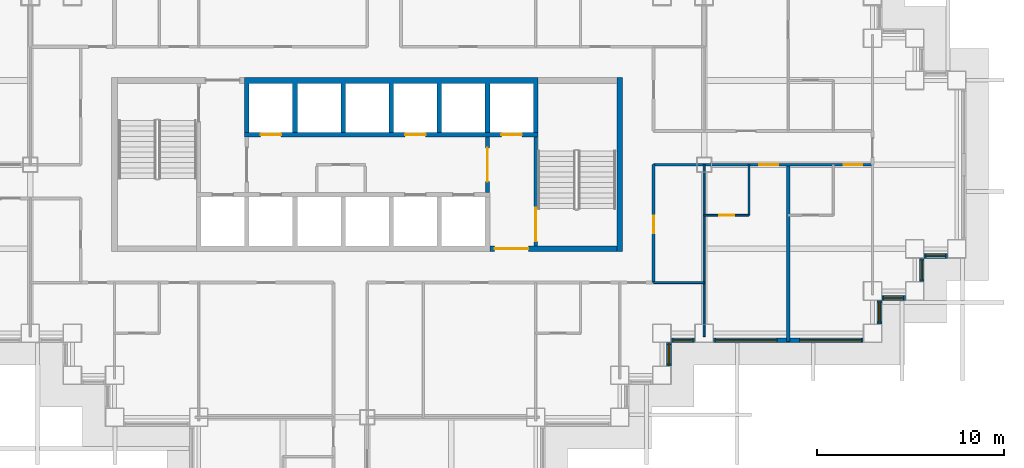
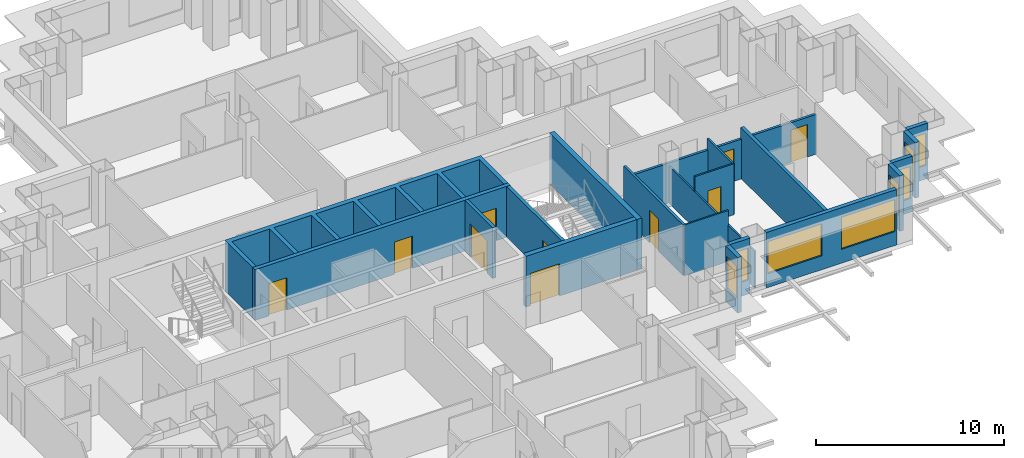
# One storey, part 6 of 15: 20 walls, 10 doors, 8 windows, 18 openings.
"""IFC4 building model written with IfcOpenShell, lengths in metres."""

import ifcopenshell
import ifcopenshell.guid

model = None  # the IFC model being written
_history = None  # IfcOwnerHistory: only IFC2X3 demands one
_inside = {}  # id of a spatial element -> (the spatial element, [elements in it])
_under = {}  # id of a project, library or spatial element -> (it, [spatial elements below it])
_declared = {}  # id of a project -> (the project, [libraries it declares])
_typed = {}  # id of a type object -> (the type object, [elements of that type])
_made_of = {}  # id of a material, layer set ... -> (it, [elements and type objects made of it])


def new_model(schema):
    """Start an empty IFC model of exactly this schema.

    Asked for "IFC4X3", IfcOpenShell would pick the latest addendum, in which some entities
    have other attributes; the version numbers below select the first issue.
    IFC2X3 requires an IfcOwnerHistory on every rooted entity: one is made here for all.
    """
    global model, _history
    if schema == "IFC4X3":
        model = ifcopenshell.file(schema_version=(4, 3, 0, 0))
    else:
        model = ifcopenshell.file(schema=schema)
    _inside.clear()
    _under.clear()
    _declared.clear()
    _typed.clear()
    _made_of.clear()
    _history = None
    if model.schema == "IFC2X3":
        org = make("IfcOrganization", Name="unknown")
        user = make(
            "IfcPersonAndOrganization",
            ThePerson=make("IfcPerson", FamilyName="unknown"),
            TheOrganization=org,
        )
        app = make(
            "IfcApplication",
            ApplicationDeveloper=org,
            Version="unknown",
            ApplicationFullName="unknown",
            ApplicationIdentifier="unknown",
        )
        _history = make(
            "IfcOwnerHistory",
            OwningUser=user,
            OwningApplication=app,
            ChangeAction="ADDED",
            CreationDate=0,
        )
    return model


def make(cls, **values):
    """One entity of the class cls with the attributes given. An attribute that is None is left unset."""
    return model.create_entity(
        cls, **{name: value for name, value in values.items() if value is not None}
    )


def rooted(cls, **values):
    """An entity with a GlobalId (a new one), such as an element, a storey or a relation."""
    return make(cls, GlobalId=ifcopenshell.guid.new(), OwnerHistory=_history, **values)


def si_unit(unit_type, name, prefix=None):
    """IfcSIUnit, for example si_unit("LENGTHUNIT", "METRE", prefix="MILLI")."""
    return make("IfcSIUnit", UnitType=unit_type, Prefix=prefix, Name=name)


def assignment(units):
    """IfcUnitAssignment: the units of a project."""
    return None if units is None else make("IfcUnitAssignment", Units=units)


def point(xyz):
    """IfcCartesianPoint."""
    return None if xyz is None else make("IfcCartesianPoint", Coordinates=xyz)


def direction(xyz):
    """IfcDirection."""
    return None if xyz is None else make("IfcDirection", DirectionRatios=xyz)


def frame(location, z_axis=None, x_axis=None):
    """IfcAxis2Placement3D, a coordinate frame: its origin and axes. An axis left out is left unset."""
    return make(
        "IfcAxis2Placement3D",
        Location=point(location),
        Axis=direction(z_axis),
        RefDirection=direction(x_axis),
    )


def frame_2d(location, x_axis=None):
    """IfcAxis2Placement2D, a coordinate frame in the plane: its origin and x axis."""
    return make(
        "IfcAxis2Placement2D", Location=point(location), RefDirection=direction(x_axis)
    )


def origin():
    """The frame at (0, 0, 0) with its axes left unset."""
    return frame((0.0, 0.0, 0.0))


def place(relative_to, where):
    """IfcLocalPlacement: puts the frame where relative to a parent placement (None: the world)."""
    return make(
        "IfcLocalPlacement", PlacementRelTo=relative_to, RelativePlacement=where
    )


def context(
    kind, dimensions, precision=None, world=None, true_north=None, identifier=None
):
    """IfcGeometricRepresentationContext, for example the 3D "Model" context."""
    return make(
        "IfcGeometricRepresentationContext",
        ContextIdentifier=identifier,
        ContextType=kind,
        CoordinateSpaceDimension=dimensions,
        Precision=precision,
        WorldCoordinateSystem=world,
        TrueNorth=true_north,
    )


def subcontext(parent, identifier, kind, view, scale=None):
    """IfcGeometricRepresentationSubContext, for example "Body" below "Model"."""
    return make(
        "IfcGeometricRepresentationSubContext",
        ContextIdentifier=identifier,
        ContextType=kind,
        ParentContext=parent,
        TargetScale=scale,
        TargetView=view,
    )


def project(units=None, contexts=None):
    """IfcProject with its units and contexts."""
    return rooted(
        "IfcProject",
        Name="project",
        RepresentationContexts=contexts,
        UnitsInContext=assignment(units),
    )


def spatial(cls, under=None, at=None, **own):
    """A site, building, storey or space (cls), placed at a placement, below another one or the project."""
    s = rooted(cls, ObjectPlacement=at, **own)
    if under is not None:
        _under.setdefault(under.id(), (under, []))[1].append(s)
    return s


def polyline(points):
    """IfcPolyline through the points."""
    return make("IfcPolyline", Points=[point(p) for p in points])


def profile(cls, at=None, kind="AREA", **sizes):
    """A parametric profile (cls). Its sizes go by their IFC names, for example OverallWidth=200.0."""
    return make(cls, ProfileType=kind, Position=at, **sizes)


def rectangle(**sizes):
    """IfcRectangleProfileDef."""
    return profile("IfcRectangleProfileDef", **sizes)


def outline(outer, holes=None, kind="AREA"):
    """IfcArbitraryClosedProfileDef: a profile drawn as a closed curve; with holes, ...WithVoids."""
    if holes is None:
        return make("IfcArbitraryClosedProfileDef", ProfileType=kind, OuterCurve=outer)
    return make(
        "IfcArbitraryProfileDefWithVoids",
        ProfileType=kind,
        OuterCurve=outer,
        InnerCurves=holes,
    )


def extrude(swept, where, along, depth):
    """IfcExtrudedAreaSolid: the profile swept, set in the frame where, extruded along a direction by depth."""
    return make(
        "IfcExtrudedAreaSolid",
        SweptArea=swept,
        Position=where,
        ExtrudedDirection=direction(along),
        Depth=depth,
    )


def shape(context_of_items, identifier, shape_type, items):
    """IfcShapeRepresentation: the items that make up one representation, for example the "Body"."""
    return make(
        "IfcShapeRepresentation",
        ContextOfItems=context_of_items,
        RepresentationIdentifier=identifier,
        RepresentationType=shape_type,
        Items=items,
    )


def material(Name=None, Category=None):
    """IfcMaterial."""
    return make("IfcMaterial", Name=Name, Category=Category)


def layer(
    of_material, thickness, ventilated=None, Name=None, Category=None, Priority=None
):
    """IfcMaterialLayer: one layer of a wall or slab, of a material (None: an air gap)."""
    return make(
        "IfcMaterialLayer",
        Material=of_material,
        LayerThickness=thickness,
        IsVentilated=ventilated,
        Name=Name,
        Category=Category,
        Priority=Priority,
    )


def layer_set(layers, Name=None):
    """IfcMaterialLayerSet."""
    return make("IfcMaterialLayerSet", MaterialLayers=layers, LayerSetName=Name)


def made_of(thing, what):
    """Note that an element or type object is made of a material, layer set ...; save() writes the relation."""
    if what is not None:
        _made_of.setdefault(what.id(), (what, []))[1].append(thing)
    return thing


def type_object(cls, material=None, **own):
    """A type object (cls), such as IfcWallType, which elements share."""
    return made_of(rooted(cls, **own), material)


def element(
    cls,
    number,
    at=None,
    inside=None,
    cuts=None,
    type_object=None,
    material=None,
    context=None,
    identifier="Body",
    shape_type=None,
    held_by="IfcProductDefinitionShape",
    body=None,
    shapes=None,
    **own,
):
    """One element of the class cls, such as IfcWall. Its Tag is "e" and its number.

    at: its placement. inside: the storey or other place that contains it. cuts: it is an
    opening in that element (IfcRelVoidsElement). A single representation is given by context,
    identifier, shape_type and body (its items); several are given by shapes. held_by: the class
    of the entity that holds the representations. save() writes the other relations.
    """
    e = rooted(cls, Tag="e%d" % number, ObjectPlacement=at, **own)
    if body is not None:
        shapes = [shape(context, identifier, shape_type, body)]
    if shapes is not None:
        e.Representation = make(held_by, Representations=shapes)
    if inside is not None:
        _inside.setdefault(inside.id(), (inside, []))[1].append(e)
    if cuts is not None:
        rooted(
            "IfcRelVoidsElement", RelatingBuildingElement=cuts, RelatedOpeningElement=e
        )
    if type_object is not None:
        _typed.setdefault(type_object.id(), (type_object, []))[1].append(e)
    return made_of(e, material)


def fill(opening, filler):
    """IfcRelFillsElement: the door or window that sits in an opening."""
    return rooted(
        "IfcRelFillsElement",
        RelatingOpeningElement=opening,
        RelatedBuildingElement=filler,
    )


def aggregate(whole, parts):
    """IfcRelAggregates: a whole, such as a stair, and the parts it consists of."""
    return rooted("IfcRelAggregates", RelatingObject=whole, RelatedObjects=parts)


def save(model, path):
    """Write the relations noted so far, then the file.

    IfcRelAggregates (storeys below a building ...), IfcRelContainedInSpatialStructure (elements
    in a storey), IfcRelDefinesByType, IfcRelAssociatesMaterial and IfcRelDeclares: one each for
    every whole, place, type object, material and project.
    """
    for whole, parts in _under.values():
        aggregate(whole, parts)
    for where, things in _inside.values():
        rooted(
            "IfcRelContainedInSpatialStructure",
            RelatedElements=things,
            RelatingStructure=where,
        )
    for kind, things in _typed.values():
        rooted("IfcRelDefinesByType", RelatedObjects=things, RelatingType=kind)
    for what, things in _made_of.values():
        rooted("IfcRelAssociatesMaterial", RelatedObjects=things, RelatingMaterial=what)
    for by, libraries in _declared.values():
        rooted("IfcRelDeclares", RelatingContext=by, RelatedDefinitions=libraries)
    model.write(path)


model = new_model("IFC4")

# Units and contexts
model_context = context("Model", 3, precision=1e-05, world=origin(), true_north=direction((0.0, 1.0)))
body_context = subcontext(model_context, "Body", "Model", "MODEL_VIEW")
ifc_project = project(units=[si_unit("LENGTHUNIT", "METRE"), si_unit("AREAUNIT", "SQUARE_METRE"), si_unit("VOLUMEUNIT", "CUBIC_METRE"), si_unit("PLANEANGLEUNIT", "RADIAN"), si_unit("MASSUNIT", "GRAM", prefix="KILO")], contexts=[model_context])

# Site, building, storey
site_placement = place(None, origin())
site = spatial("IfcSite", under=ifc_project, at=site_placement, CompositionType="ELEMENT")
building_placement = place(site_placement, origin())
building = spatial("IfcBuilding", under=site, at=building_placement, Name="Caravel Reach Hotel and Residences", CompositionType="ELEMENT")
storey_placement = place(building_placement, frame((0.0, 0.0, 60.0)))
storey = spatial("IfcBuildingStorey", under=building, at=storey_placement, Name="L13", CompositionType="ELEMENT", Elevation=60.0)

# Wall, opening, door
ifc_material_1 = material(Name="Gypsum board on steel stud", Category="steel")
ifc_layer_1 = layer(ifc_material_1, 0.10009765625)
ifc_layer_set_1 = layer_set([ifc_layer_1], Name="Bathroom pod wall 100 mm")
wall_type_1 = type_object("IfcWallType", Name="Bathroom pod wall 100 mm", PredefinedType="PARTITIONING", material=ifc_layer_set_1)
wall_1_placement = place(storey_placement, frame((49.5, 24.300048828125, 0.0), z_axis=(0.0, 0.0, 1.0), x_axis=(1.0, 0.0, 0.0)))
wall_1 = element("IfcWall", 1, at=wall_1_placement, inside=storey, type_object=wall_type_1, Name="L13 wall w078", PredefinedType="PARTITIONING", context=body_context, shape_type="SweptSolid", body=[
    extrude(rectangle(XDim=2.39990234375, YDim=0.10009765625, at=frame_2d((1.199951171875, 0.0))), origin(), (0.0, 0.0, 1.0), 3.300048828125),
])
opening_1_placement = place(wall_1_placement, frame((0.800048828125, 0.0, 0.0)))
opening_1 = element("IfcOpeningElement", 2, at=opening_1_placement, cuts=wall_1, Name="Opening D13-020", PredefinedType="OPENING", context=body_context, shape_type="SweptSolid", body=[
    extrude(rectangle(XDim=0.800048828125, YDim=2.10009765625, at=frame_2d((0.39990234375, 1.050048828125))), frame((0.0, 0.06005859375, 0.0), z_axis=(0.0, -1.0, 0.0), x_axis=(1.0, 0.0, 0.0)), (0.0, 0.0, 1.0), 0.1201171875),
])
ifc_material_2 = material(Name="Timber and steel door leaf", Category="steel")
door_type_1 = type_object("IfcDoorType", Name="Bathroom door 800 x 2100", OperationType="SINGLE_SWING_LEFT", PredefinedType="DOOR", material=ifc_material_2)
door_1_placement = place(opening_1_placement, origin())
door_1 = element("IfcDoor", 3, at=door_1_placement, inside=storey, type_object=door_type_1, Name="door D13-020", OperationType="SINGLE_SWING_LEFT", OverallHeight=2.10009765625, OverallWidth=0.800048828125, PredefinedType="DOOR", context=body_context, shape_type="SweptSolid", body=[
    extrude(rectangle(XDim=0.800048828125, YDim=2.10009765625, at=frame_2d((0.39990234375, 1.050048828125))), frame((0.0, 0.02490234375, 0.0), z_axis=(0.0, -1.0, 0.0), x_axis=(1.0, 0.0, 0.0)), (0.0, 0.0, 1.0), 0.050048828125),
])
fill(opening_1, door_1)

# Wall
wall_2_placement = place(storey_placement, frame((51.89990234375, 24.300048828125, 0.0), z_axis=(0.0, 0.0, 1.0), x_axis=(0.0, 1.0, 0.0)))
element("IfcWall", 4, at=wall_2_placement, inside=storey, type_object=wall_type_1, Name="L13 wall w099", PredefinedType="PARTITIONING", context=body_context, shape_type="SweptSolid", body=[
    extrude(rectangle(XDim=2.699951171875, YDim=0.10009765625, at=frame_2d((1.35009765625, 0.0))), origin(), (0.0, 0.0, 1.0), 3.300048828125),
])

# Wall, opening, door
ifc_material_3 = material(Name="Concrete C60", Category="concrete")
ifc_layer_2 = layer(ifc_material_3, 0.300048828125)
ifc_layer_set_2 = layer_set([ifc_layer_2], Name="Core wall 300 mm EI 120")
wall_type_2 = type_object("IfcWallType", Name="Core wall 300 mm EI 120", PredefinedType="SHEAR", material=ifc_layer_set_2)
wall_3_placement = place(storey_placement, frame((38.053466796875, 22.5, 0.0), z_axis=(0.0, 0.0, 1.0), x_axis=(1.0, 0.0, 0.0)))
wall_3 = element("IfcWall", 5, at=wall_3_placement, inside=storey, type_object=wall_type_2, Name="L13 core wall S2", PredefinedType="SHEAR", context=body_context, shape_type="SweptSolid", body=[
    extrude(rectangle(XDim=6.796630859375, YDim=0.300048828125, at=frame_2d((3.3984375, 0.0))), origin(), (0.0, 0.0, 1.0), 3.300048828125),
])
opening_2_placement = place(wall_3_placement, frame((0.2607421875, 0.0, 0.0)))
opening_2 = element("IfcOpeningElement", 6, at=opening_2_placement, cuts=wall_3, Name="Opening D13-014", PredefinedType="OPENING", context=body_context, shape_type="SweptSolid", body=[
    extrude(rectangle(XDim=1.800048828125, YDim=2.10009765625, at=frame_2d((0.89990234375, 1.050048828125))), frame((0.0, 0.159912109375, 0.0), z_axis=(0.0, -1.0, 0.0), x_axis=(1.0, 0.0, 0.0)), (0.0, 0.0, 1.0), 0.320068359375),
])
ifc_material_4 = material(Name="Steel fire door leaf", Category="steel")
door_type_2 = type_object("IfcDoorType", Name="Fire lobby door pair 1800 x 2100 EI 90", OperationType="DOUBLE_DOOR_SINGLE_SWING", PredefinedType="DOOR", material=ifc_material_4)
door_2_placement = place(opening_2_placement, origin())
door_2 = element("IfcDoor", 7, at=door_2_placement, inside=storey, type_object=door_type_2, Name="lobby S door pair to corridor", OperationType="DOUBLE_DOOR_SINGLE_SWING", OverallHeight=2.10009765625, OverallWidth=1.800048828125, PredefinedType="DOOR", context=body_context, shape_type="SweptSolid", body=[
    extrude(rectangle(XDim=1.800048828125, YDim=2.10009765625, at=frame_2d((0.89990234375, 1.050048828125))), frame((0.0, 0.02490234375, 0.0), z_axis=(0.0, -1.0, 0.0), x_axis=(1.0, 0.0, 0.0)), (0.0, 0.0, 1.0), 0.050048828125),
])
fill(opening_2, door_2)

# Wall
wall_4_placement = place(storey_placement, frame((45.0, 22.35009765625, 0.0), z_axis=(0.0, 0.0, 1.0), x_axis=(0.0, 1.0, 0.0)))
element("IfcWall", 8, at=wall_4_placement, inside=storey, type_object=wall_type_2, Name="L13 core wall E", PredefinedType="SHEAR", context=body_context, shape_type="SweptSolid", body=[
    extrude(rectangle(XDim=9.2998046875, YDim=0.300048828125, at=frame_2d((4.64990234375, 0.0))), origin(), (0.0, 0.0, 1.0), 3.300048828125),
])

# Wall, openings, doors
ifc_material_5 = material(Name="Gypsum board on steel stud, fire-rated", Category="steel")
ifc_layer_3 = layer(ifc_material_5, 0.14990234375)
ifc_layer_set_3 = layer_set([ifc_layer_3], Name="Corridor wall 150 mm EI 60")
wall_type_3 = type_object("IfcWallType", Name="Corridor wall 150 mm EI 60", PredefinedType="PARTITIONING", material=ifc_layer_set_3)
wall_5_placement = place(storey_placement, frame((46.800048828125, 27.0, 0.0), z_axis=(0.0, 0.0, 1.0), x_axis=(1.0, 0.0, 0.0)))
wall_5 = element("IfcWall", 9, at=wall_5_placement, inside=storey, type_object=wall_type_3, Name="L13 wall w013", PredefinedType="PARTITIONING", context=body_context, shape_type="SweptSolid", body=[
    extrude(rectangle(XDim=11.699951171875, YDim=0.14990234375, at=frame_2d((5.85009765625, 0.0))), origin(), (0.0, 0.0, 1.0), 2.580078125),
])
opening_3_placement = place(wall_5_placement, frame((5.64990234375, 0.0, 0.0)))
opening_3 = element("IfcOpeningElement", 10, at=opening_3_placement, cuts=wall_5, Name="Opening D13-019", PredefinedType="OPENING", context=body_context, shape_type="SweptSolid", body=[
    extrude(rectangle(XDim=1.0, YDim=2.10009765625, at=frame_2d((0.5, 1.050048828125))), frame((0.0, 0.0849609375, 0.0), z_axis=(0.0, -1.0, 0.0), x_axis=(1.0, 0.0, 0.0)), (0.0, 0.0, 1.0), 0.169921875),
])
opening_4_placement = place(wall_5_placement, frame((10.14990234375, 0.0, 0.0)))
opening_4 = element("IfcOpeningElement", 11, at=opening_4_placement, cuts=wall_5, Name="Opening D13-021", PredefinedType="OPENING", context=body_context, shape_type="SweptSolid", body=[
    extrude(rectangle(XDim=1.0, YDim=2.10009765625, at=frame_2d((0.5, 1.050048828125))), frame((0.0, 0.0849609375, 0.0), z_axis=(0.0, -1.0, 0.0), x_axis=(1.0, 0.0, 0.0)), (0.0, 0.0, 1.0), 0.169921875),
])
ifc_material_6 = material(Name="Steel fire door leaf", Category="steel")
door_type_3 = type_object("IfcDoorType", Name="Guest room door 1000 x 2100 EI 30", OperationType="SINGLE_SWING_LEFT", PredefinedType="DOOR", material=ifc_material_6)
door_3_placement = place(opening_3_placement, origin())
door_3 = element("IfcDoor", 12, at=door_3_placement, inside=storey, type_object=door_type_3, Name="door D13-019", OperationType="SINGLE_SWING_RIGHT", OverallHeight=2.10009765625, OverallWidth=1.0, PredefinedType="DOOR", context=body_context, shape_type="SweptSolid", body=[
    extrude(rectangle(XDim=1.0, YDim=2.10009765625, at=frame_2d((0.5, 1.050048828125))), frame((0.0, 0.02490234375, 0.0), z_axis=(0.0, -1.0, 0.0), x_axis=(1.0, 0.0, 0.0)), (0.0, 0.0, 1.0), 0.050048828125),
])
fill(opening_3, door_3)
door_4_placement = place(opening_4_placement, origin())
door_4 = element("IfcDoor", 13, at=door_4_placement, inside=storey, type_object=door_type_3, Name="door D13-021", OperationType="SINGLE_SWING_RIGHT", OverallHeight=2.10009765625, OverallWidth=1.0, PredefinedType="DOOR", context=body_context, shape_type="SweptSolid", body=[
    extrude(rectangle(XDim=1.0, YDim=2.10009765625, at=frame_2d((0.5, 1.050048828125))), frame((0.0, 0.02490234375, 0.0), z_axis=(0.0, -1.0, 0.0), x_axis=(1.0, 0.0, 0.0)), (0.0, 0.0, 1.0), 0.050048828125),
])
fill(opening_4, door_4)

# Wall, opening, door
wall_6_placement = place(storey_placement, frame((46.800048828125, 20.699951171875, 0.0), z_axis=(0.0, 0.0, 1.0), x_axis=(0.0, 1.0, 0.0)))
wall_6 = element("IfcWall", 14, at=wall_6_placement, inside=storey, type_object=wall_type_3, Name="L13 wall w037", PredefinedType="PARTITIONING", context=body_context, shape_type="SweptSolid", body=[
    extrude(rectangle(XDim=6.300048828125, YDim=0.14990234375, at=frame_2d((3.14990234375, 0.0))), origin(), (0.0, 0.0, 1.0), 3.300048828125),
])
opening_5_placement = place(wall_6_placement, frame((2.625, 0.0, 0.0)))
opening_5 = element("IfcOpeningElement", 15, at=opening_5_placement, cuts=wall_6, Name="Opening D13-059", PredefinedType="OPENING", context=body_context, shape_type="SweptSolid", body=[
    extrude(rectangle(XDim=0.949951171875, YDim=2.10009765625, at=frame_2d((0.47509765625, 1.050048828125))), frame((0.0, 0.0849609375, 0.0), z_axis=(0.0, -1.0, 0.0), x_axis=(1.0, 0.0, 0.0)), (0.0, 0.0, 1.0), 0.169921875),
])
ifc_material_7 = material(Name="Timber and steel door leaf", Category="steel")
door_type_4 = type_object("IfcDoorType", Name="Accessible WC door 950 x 2100", OperationType="SINGLE_SWING_LEFT", PredefinedType="DOOR", material=ifc_material_7)
door_5_placement = place(opening_5_placement, origin())
door_5 = element("IfcDoor", 16, at=door_5_placement, inside=storey, type_object=door_type_4, Name="door D13-059", OperationType="SINGLE_SWING_RIGHT", OverallHeight=2.10009765625, OverallWidth=0.949951171875, PredefinedType="DOOR", context=body_context, shape_type="SweptSolid", body=[
    extrude(rectangle(XDim=0.949951171875, YDim=2.10009765625, at=frame_2d((0.47509765625, 1.050048828125))), frame((0.0, 0.02490234375, 0.0), z_axis=(0.0, -1.0, 0.0), x_axis=(1.0, 0.0, 0.0)), (0.0, 0.0, 1.0), 0.050048828125),
])
fill(opening_5, door_5)

# Wall, opening, window
ifc_material_8 = material(Name="Insulated rainscreen wall, aluminium cladding", Category="aluminium")
ifc_layer_4 = layer(ifc_material_8, 0.25)
ifc_layer_set_4 = layer_set([ifc_layer_4], Name="EW1 Tower rainscreen wall")
wall_type_4 = type_object("IfcWallType", Name="EW1 Tower rainscreen wall", PredefinedType="SOLIDWALL", material=ifc_layer_set_4)
wall_7_placement = place(storey_placement, frame((47.625, 16.25, 0.0), z_axis=(0.0, 0.0, 1.0), x_axis=(0.0, 1.0, 0.0)))
wall_7 = element("IfcWall", 17, at=wall_7_placement, inside=storey, type_object=wall_type_4, Name="External wall L13 E14.1", PredefinedType="SOLIDWALL", context=body_context, shape_type="SweptSolid", body=[
    extrude(rectangle(XDim=1.25, YDim=0.25, at=frame_2d((0.625, 0.0))), origin(), (0.0, 0.0, 1.0), 3.60009765625),
])
opening_6_placement = place(wall_7_placement, frame((0.10009765625, 0.0, 0.89990234375)))
opening_6 = element("IfcOpeningElement", 18, at=opening_6_placement, cuts=wall_7, Name="Opening WN3", PredefinedType="OPENING", context=body_context, shape_type="SweptSolid", body=[
    extrude(rectangle(XDim=1.050048828125, YDim=2.080078125, at=frame_2d((0.52490234375, 1.0400390625))), frame((0.0, 0.135009765625, 0.0), z_axis=(0.0, -1.0, 0.0), x_axis=(1.0, 0.0, 0.0)), (0.0, 0.0, 1.0), 0.27001953125),
])
ifc_material_9 = material(Name="Dark low-e glazing in black aluminium frame", Category="aluminium")
window_type_1 = type_object("IfcWindowType", Name="Hotel suite corner window 1050 x 2080", PartitioningType="SINGLE_PANEL", PredefinedType="WINDOW", material=ifc_material_9)
window_1_placement = place(opening_6_placement, origin())
window_1 = element("IfcWindow", 19, at=window_1_placement, inside=storey, type_object=window_type_1, Name="Window L13 E14.1.1", OverallHeight=2.080078125, OverallWidth=1.050048828125, PartitioningType="SINGLE_PANEL", PredefinedType="WINDOW", context=body_context, shape_type="SweptSolid", body=[
    extrude(rectangle(XDim=1.050048828125, YDim=2.080078125, at=frame_2d((0.52490234375, 1.0400390625))), frame((0.0, 0.030029296875, 0.0), z_axis=(0.0, -1.0, 0.0), x_axis=(1.0, 0.0, 0.0)), (0.0, 0.0, 1.0), 0.06005859375),
])
fill(opening_6, window_1)

wall_8_placement = place(storey_placement, frame((47.75, 17.625, 0.0), z_axis=(0.0, 0.0, 1.0), x_axis=(1.0, 0.0, 0.0)))
wall_8 = element("IfcWall", 20, at=wall_8_placement, inside=storey, type_object=wall_type_4, Name="External wall L13 S15.1", PredefinedType="SOLIDWALL", context=body_context, shape_type="SweptSolid", body=[
    extrude(rectangle(XDim=1.25, YDim=0.25, at=frame_2d((0.625, 0.0))), origin(), (0.0, 0.0, 1.0), 3.60009765625),
])
opening_7_placement = place(wall_8_placement, frame((0.10009765625, 0.0, 0.89990234375)))
opening_7 = element("IfcOpeningElement", 21, at=opening_7_placement, cuts=wall_8, Name="Opening WN3", PredefinedType="OPENING", context=body_context, shape_type="SweptSolid", body=[
    extrude(rectangle(XDim=1.050048828125, YDim=2.080078125, at=frame_2d((0.52490234375, 1.0400390625))), frame((0.0, 0.135009765625, 0.0), z_axis=(0.0, -1.0, 0.0), x_axis=(1.0, 0.0, 0.0)), (0.0, 0.0, 1.0), 0.27001953125),
])
window_2_placement = place(opening_7_placement, origin())
window_2 = element("IfcWindow", 22, at=window_2_placement, inside=storey, type_object=window_type_1, Name="Window L13 S15.1.1", OverallHeight=2.080078125, OverallWidth=1.050048828125, PartitioningType="SINGLE_PANEL", PredefinedType="WINDOW", context=body_context, shape_type="SweptSolid", body=[
    extrude(rectangle(XDim=1.050048828125, YDim=2.080078125, at=frame_2d((0.52490234375, 1.0400390625))), frame((0.0, 0.030029296875, 0.0), z_axis=(0.0, -1.0, 0.0), x_axis=(1.0, 0.0, 0.0)), (0.0, 0.0, 1.0), 0.06005859375),
])
fill(opening_7, window_2)

# Wall, openings, windows
wall_9_placement = place(storey_placement, frame((50.0, 17.625, 0.0), z_axis=(0.0, 0.0, 1.0), x_axis=(1.0, 0.0, 0.0)))
wall_9 = element("IfcWall", 23, at=wall_9_placement, inside=storey, type_object=wall_type_4, Name="External wall L13 S15.2", PredefinedType="SOLIDWALL", context=body_context, shape_type="SweptSolid", body=[
    extrude(rectangle(XDim=8.0, YDim=0.25, at=frame_2d((4.0, 0.0))), origin(), (0.0, 0.0, 1.0), 3.60009765625),
])
opening_8_placement = place(wall_9_placement, frame((0.10009765625, 0.0, 0.89990234375)))
opening_8 = element("IfcOpeningElement", 24, at=opening_8_placement, cuts=wall_9, Name="Opening WN4", PredefinedType="OPENING", context=body_context, shape_type="SweptSolid", body=[
    extrude(rectangle(XDim=3.300048828125, YDim=2.080078125, at=frame_2d((1.64990234375, 1.0400390625))), frame((0.0, 0.135009765625, 0.0), z_axis=(0.0, -1.0, 0.0), x_axis=(1.0, 0.0, 0.0)), (0.0, 0.0, 1.0), 0.27001953125),
])
opening_9_placement = place(wall_9_placement, frame((4.60009765625, 0.0, 0.89990234375)))
opening_9 = element("IfcOpeningElement", 25, at=opening_9_placement, cuts=wall_9, Name="Opening WN4", PredefinedType="OPENING", context=body_context, shape_type="SweptSolid", body=[
    extrude(rectangle(XDim=3.300048828125, YDim=2.080078125, at=frame_2d((1.64990234375, 1.0400390625))), frame((0.0, 0.135009765625, 0.0), z_axis=(0.0, -1.0, 0.0), x_axis=(1.0, 0.0, 0.0)), (0.0, 0.0, 1.0), 0.27001953125),
])
ifc_material_10 = material(Name="Dark low-e glazing in black aluminium frame", Category="aluminium")
window_type_2 = type_object("IfcWindowType", Name="Hotel guest room window 3300 x 2080", PartitioningType="SINGLE_PANEL", PredefinedType="WINDOW", material=ifc_material_10)
window_3_placement = place(opening_8_placement, origin())
window_3 = element("IfcWindow", 26, at=window_3_placement, inside=storey, type_object=window_type_2, Name="Window L13 S15.2.1", OverallHeight=2.080078125, OverallWidth=3.300048828125, PartitioningType="SINGLE_PANEL", PredefinedType="WINDOW", context=body_context, shape_type="SweptSolid", body=[
    extrude(rectangle(XDim=3.300048828125, YDim=2.080078125, at=frame_2d((1.64990234375, 1.0400390625))), frame((0.0, 0.030029296875, 0.0), z_axis=(0.0, -1.0, 0.0), x_axis=(1.0, 0.0, 0.0)), (0.0, 0.0, 1.0), 0.06005859375),
])
fill(opening_8, window_3)
window_4_placement = place(opening_9_placement, origin())
window_4 = element("IfcWindow", 27, at=window_4_placement, inside=storey, type_object=window_type_2, Name="Window L13 S15.2.2", OverallHeight=2.080078125, OverallWidth=3.300048828125, PartitioningType="SINGLE_PANEL", PredefinedType="WINDOW", context=body_context, shape_type="SweptSolid", body=[
    extrude(rectangle(XDim=3.300048828125, YDim=2.080078125, at=frame_2d((1.64990234375, 1.0400390625))), frame((0.0, 0.030029296875, 0.0), z_axis=(0.0, -1.0, 0.0), x_axis=(1.0, 0.0, 0.0)), (0.0, 0.0, 1.0), 0.06005859375),
])
fill(opening_9, window_4)

# Wall, opening, window
wall_10_placement = place(storey_placement, frame((58.875, 18.5, 0.0), z_axis=(0.0, 0.0, 1.0), x_axis=(0.0, 1.0, 0.0)))
wall_10 = element("IfcWall", 28, at=wall_10_placement, inside=storey, type_object=wall_type_4, Name="External wall L13 E16.1", PredefinedType="SOLIDWALL", context=body_context, shape_type="SweptSolid", body=[
    extrude(rectangle(XDim=1.25, YDim=0.25, at=frame_2d((0.625, 0.0))), origin(), (0.0, 0.0, 1.0), 3.60009765625),
])
opening_10_placement = place(wall_10_placement, frame((0.10009765625, 0.0, 0.89990234375)))
opening_10 = element("IfcOpeningElement", 29, at=opening_10_placement, cuts=wall_10, Name="Opening WN3", PredefinedType="OPENING", context=body_context, shape_type="SweptSolid", body=[
    extrude(rectangle(XDim=1.050048828125, YDim=2.080078125, at=frame_2d((0.52490234375, 1.0400390625))), frame((0.0, 0.135009765625, 0.0), z_axis=(0.0, -1.0, 0.0), x_axis=(1.0, 0.0, 0.0)), (0.0, 0.0, 1.0), 0.27001953125),
])
window_5_placement = place(opening_10_placement, origin())
window_5 = element("IfcWindow", 30, at=window_5_placement, inside=storey, type_object=window_type_1, Name="Window L13 E16.1.1", OverallHeight=2.080078125, OverallWidth=1.050048828125, PartitioningType="SINGLE_PANEL", PredefinedType="WINDOW", context=body_context, shape_type="SweptSolid", body=[
    extrude(rectangle(XDim=1.050048828125, YDim=2.080078125, at=frame_2d((0.52490234375, 1.0400390625))), frame((0.0, 0.030029296875, 0.0), z_axis=(0.0, -1.0, 0.0), x_axis=(1.0, 0.0, 0.0)), (0.0, 0.0, 1.0), 0.06005859375),
])
fill(opening_10, window_5)

wall_11_placement = place(storey_placement, frame((59.0, 19.875, 0.0), z_axis=(0.0, 0.0, 1.0), x_axis=(1.0, 0.0, 0.0)))
wall_11 = element("IfcWall", 31, at=wall_11_placement, inside=storey, type_object=wall_type_4, Name="External wall L13 S17.1", PredefinedType="SOLIDWALL", context=body_context, shape_type="SweptSolid", body=[
    extrude(rectangle(XDim=1.25, YDim=0.25, at=frame_2d((0.625, 0.0))), origin(), (0.0, 0.0, 1.0), 3.60009765625),
])
opening_11_placement = place(wall_11_placement, frame((0.10009765625, 0.0, 0.89990234375)))
opening_11 = element("IfcOpeningElement", 32, at=opening_11_placement, cuts=wall_11, Name="Opening WN3", PredefinedType="OPENING", context=body_context, shape_type="SweptSolid", body=[
    extrude(rectangle(XDim=1.050048828125, YDim=2.080078125, at=frame_2d((0.52490234375, 1.0400390625))), frame((0.0, 0.135009765625, 0.0), z_axis=(0.0, -1.0, 0.0), x_axis=(1.0, 0.0, 0.0)), (0.0, 0.0, 1.0), 0.27001953125),
])
window_6_placement = place(opening_11_placement, origin())
window_6 = element("IfcWindow", 33, at=window_6_placement, inside=storey, type_object=window_type_1, Name="Window L13 S17.1.1", OverallHeight=2.080078125, OverallWidth=1.050048828125, PartitioningType="SINGLE_PANEL", PredefinedType="WINDOW", context=body_context, shape_type="SweptSolid", body=[
    extrude(rectangle(XDim=1.050048828125, YDim=2.080078125, at=frame_2d((0.52490234375, 1.0400390625))), frame((0.0, 0.030029296875, 0.0), z_axis=(0.0, -1.0, 0.0), x_axis=(1.0, 0.0, 0.0)), (0.0, 0.0, 1.0), 0.06005859375),
])
fill(opening_11, window_6)

wall_12_placement = place(storey_placement, frame((61.125, 20.75, 0.0), z_axis=(0.0, 0.0, 1.0), x_axis=(0.0, 1.0, 0.0)))
wall_12 = element("IfcWall", 34, at=wall_12_placement, inside=storey, type_object=wall_type_4, Name="External wall L13 E18.1", PredefinedType="SOLIDWALL", context=body_context, shape_type="SweptSolid", body=[
    extrude(rectangle(XDim=1.25, YDim=0.25, at=frame_2d((0.625, 0.0))), origin(), (0.0, 0.0, 1.0), 3.60009765625),
])
opening_12_placement = place(wall_12_placement, frame((0.10009765625, 0.0, 0.89990234375)))
opening_12 = element("IfcOpeningElement", 35, at=opening_12_placement, cuts=wall_12, Name="Opening WN3", PredefinedType="OPENING", context=body_context, shape_type="SweptSolid", body=[
    extrude(rectangle(XDim=1.050048828125, YDim=2.080078125, at=frame_2d((0.52490234375, 1.0400390625))), frame((0.0, 0.135009765625, 0.0), z_axis=(0.0, -1.0, 0.0), x_axis=(1.0, 0.0, 0.0)), (0.0, 0.0, 1.0), 0.27001953125),
])
window_7_placement = place(opening_12_placement, origin())
window_7 = element("IfcWindow", 36, at=window_7_placement, inside=storey, type_object=window_type_1, Name="Window L13 E18.1.1", OverallHeight=2.080078125, OverallWidth=1.050048828125, PartitioningType="SINGLE_PANEL", PredefinedType="WINDOW", context=body_context, shape_type="SweptSolid", body=[
    extrude(rectangle(XDim=1.050048828125, YDim=2.080078125, at=frame_2d((0.52490234375, 1.0400390625))), frame((0.0, 0.030029296875, 0.0), z_axis=(0.0, -1.0, 0.0), x_axis=(1.0, 0.0, 0.0)), (0.0, 0.0, 1.0), 0.06005859375),
])
fill(opening_12, window_7)

wall_13_placement = place(storey_placement, frame((61.25, 22.125, 0.0), z_axis=(0.0, 0.0, 1.0), x_axis=(1.0, 0.0, 0.0)))
wall_13 = element("IfcWall", 37, at=wall_13_placement, inside=storey, type_object=wall_type_4, Name="External wall L13 S19.1", PredefinedType="SOLIDWALL", context=body_context, shape_type="SweptSolid", body=[
    extrude(rectangle(XDim=1.25, YDim=0.25, at=frame_2d((0.625, 0.0))), origin(), (0.0, 0.0, 1.0), 3.60009765625),
])
opening_13_placement = place(wall_13_placement, frame((0.10009765625, 0.0, 0.89990234375)))
opening_13 = element("IfcOpeningElement", 38, at=opening_13_placement, cuts=wall_13, Name="Opening WN3", PredefinedType="OPENING", context=body_context, shape_type="SweptSolid", body=[
    extrude(rectangle(XDim=1.050048828125, YDim=2.080078125, at=frame_2d((0.52490234375, 1.0400390625))), frame((0.0, 0.135009765625, 0.0), z_axis=(0.0, -1.0, 0.0), x_axis=(1.0, 0.0, 0.0)), (0.0, 0.0, 1.0), 0.27001953125),
])
window_8_placement = place(opening_13_placement, origin())
window_8 = element("IfcWindow", 39, at=window_8_placement, inside=storey, type_object=window_type_1, Name="Window L13 S19.1.1", OverallHeight=2.080078125, OverallWidth=1.050048828125, PartitioningType="SINGLE_PANEL", PredefinedType="WINDOW", context=body_context, shape_type="SweptSolid", body=[
    extrude(rectangle(XDim=1.050048828125, YDim=2.080078125, at=frame_2d((0.52490234375, 1.0400390625))), frame((0.0, 0.030029296875, 0.0), z_axis=(0.0, -1.0, 0.0), x_axis=(1.0, 0.0, 0.0)), (0.0, 0.0, 1.0), 0.06005859375),
])
fill(opening_13, window_8)

# Wall, opening, door
ifc_material_11 = material(Name="Autoclaved aerated block wall")
ifc_layer_5 = layer(ifc_material_11, 0.199951171875)
ifc_layer_set_5 = layer_set([ifc_layer_5], Name="Fire lobby wall 200 mm EI 120")
wall_type_5 = type_object("IfcWallType", Name="Fire lobby wall 200 mm EI 120", PredefinedType="PARTITIONING", material=ifc_layer_set_5)
wall_14_placement = place(storey_placement, frame((37.928466796875, 25.52490234375, 0.0), z_axis=(0.0, 0.0, 1.0), x_axis=(0.0, 1.0, 0.0)))
wall_14 = element("IfcWall", 40, at=wall_14_placement, inside=storey, type_object=wall_type_5, Name="L13 lobby E wall", PredefinedType="PARTITIONING", context=body_context, shape_type="SweptSolid", body=[
    extrude(rectangle(XDim=2.9501953125, YDim=0.199951171875, at=frame_2d((1.47509765625, 0.0))), origin(), (0.0, 0.0, 1.0), 3.300048828125),
])
opening_14_placement = place(wall_14_placement, frame((0.574951171875, 0.0, 0.0)))
opening_14 = element("IfcOpeningElement", 41, at=opening_14_placement, cuts=wall_14, Name="Opening D13-012", PredefinedType="OPENING", context=body_context, shape_type="SweptSolid", body=[
    extrude(rectangle(XDim=1.800048828125, YDim=2.10009765625, at=frame_2d((0.89990234375, 1.050048828125))), frame((0.0, 0.10986328125, 0.0), z_axis=(0.0, -1.0, 0.0), x_axis=(1.0, 0.0, 0.0)), (0.0, 0.0, 1.0), 0.219970703125),
])
door_6_placement = place(opening_14_placement, origin())
door_6 = element("IfcDoor", 42, at=door_6_placement, inside=storey, type_object=door_type_2, Name="lobby E door pair", OperationType="DOUBLE_DOOR_SINGLE_SWING", OverallHeight=2.10009765625, OverallWidth=1.800048828125, PredefinedType="DOOR", context=body_context, shape_type="SweptSolid", body=[
    extrude(rectangle(XDim=1.800048828125, YDim=2.10009765625, at=frame_2d((0.89990234375, 1.050048828125))), frame((0.0, 0.02490234375, 0.0), z_axis=(0.0, -1.0, 0.0), x_axis=(1.0, 0.0, 0.0)), (0.0, 0.0, 1.0), 0.050048828125),
])
fill(opening_14, door_6)

# Walls
ifc_material_12 = material(Name="Gypsum board on steel stud", Category="steel")
ifc_layer_6 = layer(ifc_material_12, 0.10009765625)
ifc_layer_set_6 = layer_set([ifc_layer_6], Name="Partition 100 mm")
wall_type_6 = type_object("IfcWallType", Name="Partition 100 mm", PredefinedType="PARTITIONING", material=ifc_layer_set_6)
wall_15_placement = place(storey_placement, frame((46.800048828125, 20.699951171875, 0.0), z_axis=(0.0, 0.0, 1.0), x_axis=(1.0, 0.0, 0.0)))
element("IfcWall", 43, at=wall_15_placement, inside=storey, type_object=wall_type_6, Name="L13 wall w044", PredefinedType="PARTITIONING", context=body_context, shape_type="SweptSolid", body=[
    extrude(rectangle(XDim=2.699951171875, YDim=0.10009765625, at=frame_2d((1.35009765625, 0.0))), origin(), (0.0, 0.0, 1.0), 3.300048828125),
])
wall_16_placement = place(storey_placement, frame((49.5, 17.81005859375, 0.0), z_axis=(0.0, 0.0, 1.0), x_axis=(0.0, 1.0, 0.0)))
element("IfcWall", 44, at=wall_16_placement, inside=storey, type_object=wall_type_6, Name="L13 wall w064", PredefinedType="PARTITIONING", context=body_context, shape_type="SweptSolid", body=[
    extrude(rectangle(XDim=9.18994140625, YDim=0.10009765625, at=frame_2d((4.594970703125, 0.0))), origin(), (0.0, 0.0, 1.0), 2.3798828125),
])
ifc_material_13 = material(Name="Autoclaved aerated block wall")
ifc_layer_7 = layer(ifc_material_13, 0.199951171875)
ifc_layer_set_7 = layer_set([ifc_layer_7], Name="Party wall 200 mm EI 60")
wall_type_7 = type_object("IfcWallType", Name="Party wall 200 mm EI 60", PredefinedType="PARTITIONING", material=ifc_layer_set_7)
wall_17_placement = place(storey_placement, frame((54.0, 17.56005859375, 0.0), z_axis=(0.0, 0.0, 1.0), x_axis=(0.0, 1.0, 0.0)))
element("IfcWall", 45, at=wall_17_placement, inside=storey, type_object=wall_type_7, Name="L13 wall w073", PredefinedType="PARTITIONING", context=body_context, shape_type="SweptSolid", body=[
    extrude(rectangle(XDim=9.43994140625, YDim=0.199951171875, at=frame_2d((4.719970703125, 0.0))), origin(), (0.0, 0.0, 1.0), 3.300048828125),
])
ifc_material_14 = material(Name="Concrete C60", Category="concrete")
ifc_layer_8 = layer(ifc_material_14, 0.25)
ifc_layer_set_8 = layer_set([ifc_layer_8], Name="Shaft wall 250 mm EI 120")
wall_type_8 = type_object("IfcWallType", Name="Shaft wall 250 mm EI 120", PredefinedType="SHEAR", material=ifc_layer_set_8)
wall_18_placement = place(storey_placement, origin())
element("IfcWall", 46, at=wall_18_placement, inside=storey, type_object=wall_type_8, Name="L13 lift shaft wall N1", PredefinedType="SHEAR", context=body_context, shape_type="SweptSolid", body=[
    extrude(outline(polyline([(24.946533203125, 28.72509765625), (25.196533203125, 28.72509765625), (25.196533203125, 31.35009765625), (27.517822265625, 31.35009765625), (27.517822265625, 28.72509765625), (27.767822265625, 28.72509765625), (27.767822265625, 31.35009765625), (30.08935546875, 31.35009765625), (30.08935546875, 28.72509765625), (30.33935546875, 28.72509765625), (30.33935546875, 31.35009765625), (32.66064453125, 31.35009765625), (32.66064453125, 28.72509765625), (32.91064453125, 28.72509765625), (32.91064453125, 31.35009765625), (35.232177734375, 31.35009765625), (35.232177734375, 28.72509765625), (35.482177734375, 28.72509765625), (35.482177734375, 31.35009765625), (37.803466796875, 31.35009765625), (37.803466796875, 28.72509765625), (38.053466796875, 28.72509765625), (38.053466796875, 31.35009765625), (40.375, 31.35009765625), (40.375, 28.72509765625), (40.625, 28.72509765625), (40.625, 31.64990234375), (24.946533203125, 31.64990234375), (24.946533203125, 28.72509765625)])), origin(), (0.0, 0.0, 1.0), 3.300048828125),
])

# Wall, openings, doors
wall_19_placement = place(storey_placement, frame((24.946533203125, 28.60009765625, 0.0), z_axis=(0.0, 0.0, 1.0), x_axis=(1.0, 0.0, 0.0)))
wall_19 = element("IfcWall", 47, at=wall_19_placement, inside=storey, type_object=wall_type_8, Name="L13 lobby wall N1", PredefinedType="SHEAR", context=body_context, shape_type="SweptSolid", body=[
    extrude(rectangle(XDim=15.678466796875, YDim=0.25, at=frame_2d((7.83935546875, 0.0))), origin(), (0.0, 0.0, 1.0), 3.300048828125),
])
opening_15_placement = place(wall_19_placement, frame((0.860595703125, 0.0, 0.0)))
opening_15 = element("IfcOpeningElement", 48, at=opening_15_placement, cuts=wall_19, Name="Opening D13-004", PredefinedType="OPENING", context=body_context, shape_type="SweptSolid", body=[
    extrude(rectangle(XDim=1.10009765625, YDim=2.10009765625, at=frame_2d((0.550048828125, 1.050048828125))), frame((0.0, 0.135009765625, 0.0), z_axis=(0.0, -1.0, 0.0), x_axis=(1.0, 0.0, 0.0)), (0.0, 0.0, 1.0), 0.27001953125),
])
opening_16_placement = place(wall_19_placement, frame((8.574951171875, 0.0, 0.0)))
opening_16 = element("IfcOpeningElement", 49, at=opening_16_placement, cuts=wall_19, Name="Opening D13-005", PredefinedType="OPENING", context=body_context, shape_type="SweptSolid", body=[
    extrude(rectangle(XDim=1.10009765625, YDim=2.10009765625, at=frame_2d((0.550048828125, 1.050048828125))), frame((0.0, 0.135009765625, 0.0), z_axis=(0.0, -1.0, 0.0), x_axis=(1.0, 0.0, 0.0)), (0.0, 0.0, 1.0), 0.27001953125),
])
opening_17_placement = place(wall_19_placement, frame((13.718017578125, 0.0, 0.0)))
opening_17 = element("IfcOpeningElement", 50, at=opening_17_placement, cuts=wall_19, Name="Opening D13-007", PredefinedType="OPENING", context=body_context, shape_type="SweptSolid", body=[
    extrude(rectangle(XDim=1.10009765625, YDim=2.10009765625, at=frame_2d((0.550048828125, 1.050048828125))), frame((0.0, 0.135009765625, 0.0), z_axis=(0.0, -1.0, 0.0), x_axis=(1.0, 0.0, 0.0)), (0.0, 0.0, 1.0), 0.27001953125),
])
ifc_material_15 = material(Name="Stainless steel landing door", Category="steel")
door_type_5 = type_object("IfcDoorType", Name="Landing door LD 1100 x 2100 sliding", OperationType="DOUBLE_DOOR_SLIDING", PredefinedType="DOOR", material=ifc_material_15)
door_7_placement = place(opening_15_placement, origin())
door_7 = element("IfcDoor", 51, at=door_7_placement, inside=storey, type_object=door_type_5, Name="LP4 landing door", OperationType="DOUBLE_DOOR_SLIDING", OverallHeight=2.10009765625, OverallWidth=1.10009765625, PredefinedType="DOOR", context=body_context, shape_type="SweptSolid", body=[
    extrude(rectangle(XDim=1.10009765625, YDim=2.10009765625, at=frame_2d((0.550048828125, 1.050048828125))), frame((0.0, 0.02490234375, 0.0), z_axis=(0.0, -1.0, 0.0), x_axis=(1.0, 0.0, 0.0)), (0.0, 0.0, 1.0), 0.050048828125),
])
fill(opening_15, door_7)
door_8_placement = place(opening_16_placement, origin())
door_8 = element("IfcDoor", 52, at=door_8_placement, inside=storey, type_object=door_type_5, Name="LP5 landing door", OperationType="DOUBLE_DOOR_SLIDING", OverallHeight=2.10009765625, OverallWidth=1.10009765625, PredefinedType="DOOR", context=body_context, shape_type="SweptSolid", body=[
    extrude(rectangle(XDim=1.10009765625, YDim=2.10009765625, at=frame_2d((0.550048828125, 1.050048828125))), frame((0.0, 0.02490234375, 0.0), z_axis=(0.0, -1.0, 0.0), x_axis=(1.0, 0.0, 0.0)), (0.0, 0.0, 1.0), 0.050048828125),
])
fill(opening_16, door_8)
door_9_placement = place(opening_17_placement, origin())
door_9 = element("IfcDoor", 53, at=door_9_placement, inside=storey, type_object=door_type_5, Name="FL2 landing door", OperationType="DOUBLE_DOOR_SLIDING", OverallHeight=2.10009765625, OverallWidth=1.10009765625, PredefinedType="DOOR", context=body_context, shape_type="SweptSolid", body=[
    extrude(rectangle(XDim=1.10009765625, YDim=2.10009765625, at=frame_2d((0.550048828125, 1.050048828125))), frame((0.0, 0.02490234375, 0.0), z_axis=(0.0, -1.0, 0.0), x_axis=(1.0, 0.0, 0.0)), (0.0, 0.0, 1.0), 0.050048828125),
])
fill(opening_17, door_9)

# Wall, opening, door
ifc_material_16 = material(Name="Concrete C60", Category="concrete")
ifc_layer_9 = layer(ifc_material_16, 0.199951171875)
ifc_layer_set_9 = layer_set([ifc_layer_9], Name="Stair enclosure wall 200 mm EI 120")
wall_type_9 = type_object("IfcWallType", Name="Stair enclosure wall 200 mm EI 120", PredefinedType="SHEAR", material=ifc_layer_set_9)
wall_20_placement = place(storey_placement, frame((40.5, 22.64990234375, 0.0), z_axis=(0.0, 0.0, 1.0), x_axis=(0.0, 1.0, 0.0)))
wall_20 = element("IfcWall", 54, at=wall_20_placement, inside=storey, type_object=wall_type_9, Name="L13 stair B wall", PredefinedType="SHEAR", context=body_context, shape_type="SweptSolid", body=[
    extrude(rectangle(XDim=5.8251953125, YDim=0.199951171875, at=frame_2d((2.91259765625, 0.0))), origin(), (0.0, 0.0, 1.0), 3.300048828125),
])
opening_18_placement = place(wall_20_placement, frame((0.25, 0.0, 0.0)))
opening_18 = element("IfcOpeningElement", 55, at=opening_18_placement, cuts=wall_20, Name="Opening D13-010", PredefinedType="OPENING", context=body_context, shape_type="SweptSolid", body=[
    extrude(rectangle(XDim=1.800048828125, YDim=2.10009765625, at=frame_2d((0.89990234375, 1.050048828125))), frame((0.0, 0.10986328125, 0.0), z_axis=(0.0, -1.0, 0.0), x_axis=(1.0, 0.0, 0.0)), (0.0, 0.0, 1.0), 0.219970703125),
])
ifc_material_17 = material(Name="Steel fire door leaf", Category="steel")
door_type_6 = type_object("IfcDoorType", Name="Stair door pair 1800 x 2100 EI 90", OperationType="DOUBLE_DOOR_SINGLE_SWING", PredefinedType="DOOR", material=ifc_material_17)
door_10_placement = place(opening_18_placement, origin())
door_10 = element("IfcDoor", 56, at=door_10_placement, inside=storey, type_object=door_type_6, Name="stair B door pair", OperationType="DOUBLE_DOOR_SINGLE_SWING", OverallHeight=2.10009765625, OverallWidth=1.800048828125, PredefinedType="DOOR", context=body_context, shape_type="SweptSolid", body=[
    extrude(rectangle(XDim=1.800048828125, YDim=2.10009765625, at=frame_2d((0.89990234375, 1.050048828125))), frame((0.0, 0.02490234375, 0.0), z_axis=(0.0, -1.0, 0.0), x_axis=(1.0, 0.0, 0.0)), (0.0, 0.0, 1.0), 0.050048828125),
])
fill(opening_18, door_10)

save(model, "model.ifc")
